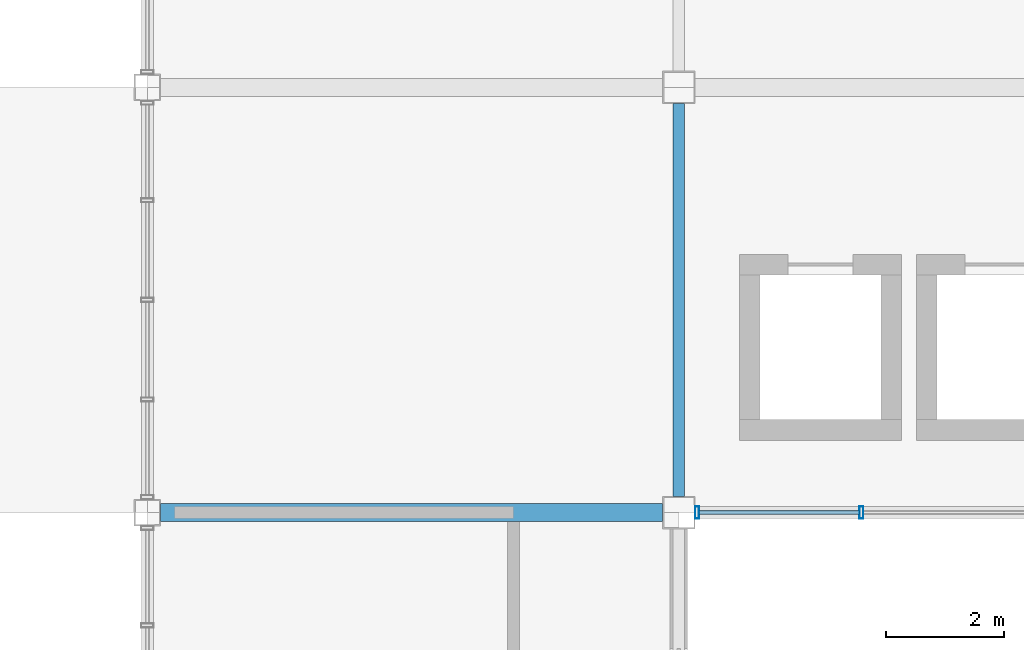
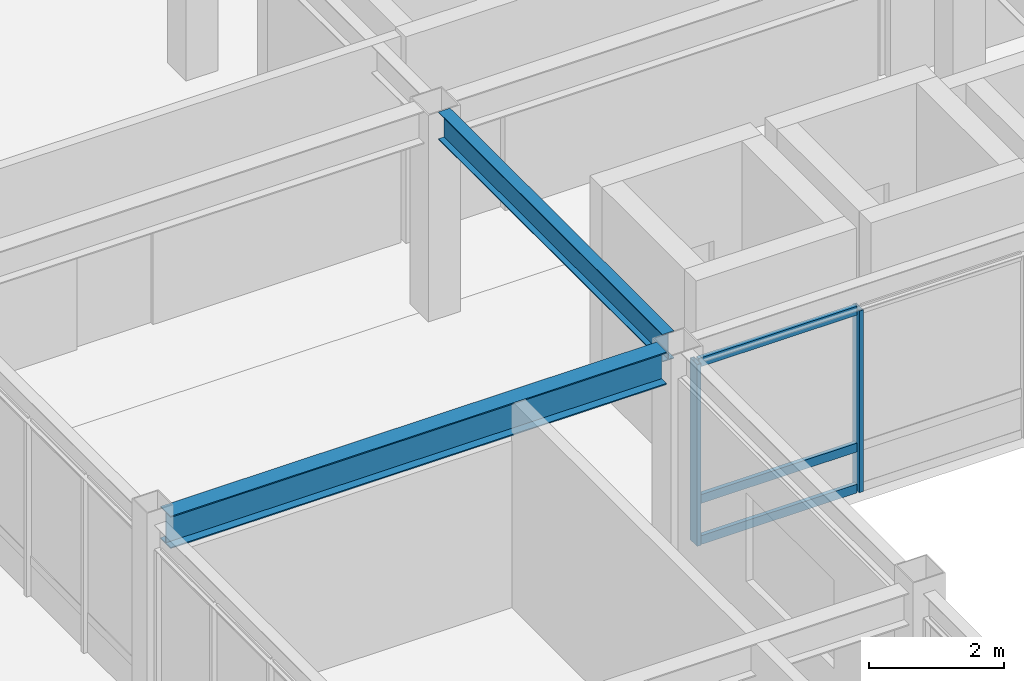
# One storey, part 58 of 113: 5 members, 2 beams, 1 element without a shape of its own.
"""IFC4 building model written with IfcOpenShell, lengths in metres."""

from ifc_helpers import new_model, si_unit, direction, frame, origin, origin_2d, place, context, subcontext, project, spatial, hollow_rectangle, i_section, extrude, material, material_profile, profile_set, type_object, element, aggregate, save


model = new_model("IFC4")

# Units and contexts
model_context = context("Model", 3, precision=1e-05, world=origin(), true_north=direction((0.0, 1.0)))
body_context = subcontext(model_context, "Body", "Model", "MODEL_VIEW")
ifc_project = project(units=[si_unit("LENGTHUNIT", "METRE"), si_unit("AREAUNIT", "SQUARE_METRE"), si_unit("VOLUMEUNIT", "CUBIC_METRE"), si_unit("PLANEANGLEUNIT", "RADIAN"), si_unit("MASSUNIT", "GRAM", prefix="KILO")], contexts=[model_context])

# Site, building, storey
site_placement = place(None, origin())
site = spatial("IfcSite", under=ifc_project, at=site_placement, CompositionType="ELEMENT")
building_placement = place(site_placement, origin())
building = spatial("IfcBuilding", under=site, at=building_placement, Name="Kazanami Central Library", CompositionType="ELEMENT")
storey_placement = place(building_placement, frame((0.0, 0.0, 8.800048828125)))
storey = spatial("IfcBuildingStorey", under=building, at=storey_placement, Name="L03", CompositionType="ELEMENT", Elevation=8.800048828125)

# Beams
ifc_material_1 = material(Name="Steel SN490B (325 MPa)", Category="steel")
ifc_material_profile_1 = material_profile(ifc_material_1, i_section(OverallWidth=0.300048828125, OverallDepth=0.587890625, WebThickness=0.011962890625, FlangeThickness=0.02001953125, at=origin_2d()), Name="H-588x300x12x20")
ifc_profile_set_1 = profile_set([ifc_material_profile_1], Name="Steel SN490B (325 MPa)")
beam_type_1 = type_object("IfcBeamType", Name="BM-G-X2", PredefinedType="BEAM", material=ifc_profile_set_1)
beam_1_placement = place(storey_placement, frame((45.222900390625, 64.800048828125, 3.450927734375), z_axis=(1.0, 0.0, 0.0), x_axis=(0.0, 1.0, 0.0)))
element("IfcBeam", 1, at=beam_1_placement, inside=storey, type_object=beam_type_1, Name="Girder G-X2 L03 K/6-7", PredefinedType="BEAM", context=body_context, shape_type="SweptSolid", body=[
    extrude(i_section(OverallWidth=0.300048828125, OverallDepth=0.587890625, WebThickness=0.011962890625, FlangeThickness=0.02001953125, at=origin_2d()), origin(), (0.0, 0.0, 1.0), 8.504150390625),
])
ifc_material_profile_2 = material_profile(ifc_material_1, i_section(OverallWidth=0.199951171875, OverallDepth=0.5, WebThickness=0.010009765625, FlangeThickness=0.01611328125, at=origin_2d()), Name="H-500x200x10x16")
ifc_profile_set_2 = profile_set([ifc_material_profile_2], Name="Steel SN490B (325 MPa)")
beam_type_2 = type_object("IfcBeamType", Name="BM-G-Y2", PredefinedType="BEAM", material=ifc_profile_set_2)
beam_2_placement = place(storey_placement, frame((54.0, 65.072998046875, 3.494873046875), z_axis=(0.0, 1.0, 0.0), x_axis=(-1.0, 0.0, 0.0)))
element("IfcBeam", 2, at=beam_2_placement, inside=storey, type_object=beam_type_2, Name="Girder G-Y2 L03 7/K-L", PredefinedType="BEAM", context=body_context, shape_type="SweptSolid", body=[
    extrude(i_section(OverallWidth=0.199951171875, OverallDepth=0.5, WebThickness=0.010009765625, FlangeThickness=0.01611328125, at=origin_2d()), origin(), (0.0, 0.0, 1.0), 6.654052734375),
])

# Curtain wall, members
ifc_material_2 = material(Name="Acid-Etched Low-E Laminated Glass", Category="glass")
curtain_wall_type = type_object("IfcCurtainWallType", Name="CW-8450x3295-M275", PredefinedType="USERDEFINED", material=ifc_material_2)
curtain_wall_placement = place(storey_placement, origin())
curtain_wall = element("IfcCurtainWall", 3, at=curtain_wall_placement, inside=storey, type_object=curtain_wall_type, Name="Unitised Curtain Wall CW-29 L03 S-K-06", ObjectType="UNITISED CURTAIN WALL", PredefinedType="USERDEFINED")
ifc_material_3 = material(Name="Anodised Aluminium A6063-T5", Category="aluminium")
ifc_material_profile_3 = material_profile(ifc_material_3, hollow_rectangle(XDim=0.070068359375, YDim=0.2099609375, WallThickness=0.0048828125, at=origin_2d()), Name="ALU-MULL-70x210x5")
ifc_profile_set_3 = profile_set([ifc_material_profile_3], Name="Anodised Aluminium A6063-T5")
member_type_1 = type_object("IfcMemberType", Name="MEM-CW-M1", PredefinedType="MULLION", material=ifc_profile_set_3)
member_1_placement = place(storey_placement, frame((54.31005859375, 64.800048828125, 0.0), z_axis=(0.0, 0.0, 1.0), x_axis=(1.0, 0.0, 0.0)))
member_1 = element("IfcMember", 4, at=member_1_placement, type_object=member_type_1, Name="CW-29 mullion 1", PredefinedType="MULLION", context=body_context, shape_type="SweptSolid", body=[
    extrude(hollow_rectangle(XDim=0.070068359375, YDim=0.2099609375, WallThickness=0.0048828125, at=origin_2d()), origin(), (0.0, 0.0, 1.0), 3.294921875),
])
member_2_placement = place(storey_placement, frame((57.091552734375, 64.800048828125, 0.0), z_axis=(0.0, 0.0, 1.0), x_axis=(1.0, 0.0, 0.0)))
member_2 = element("IfcMember", 5, at=member_2_placement, type_object=member_type_1, Name="CW-29 mullion 2", PredefinedType="MULLION", context=body_context, shape_type="SweptSolid", body=[
    extrude(hollow_rectangle(XDim=0.070068359375, YDim=0.2099609375, WallThickness=0.0048828125, at=origin_2d()), origin(), (0.0, 0.0, 1.0), 3.294921875),
])
ifc_material_profile_4 = material_profile(ifc_material_3, hollow_rectangle(XDim=0.070068359375, YDim=0.159912109375, WallThickness=0.00390625, at=origin_2d()), Name="ALU-TRAN-70x160x4")
ifc_profile_set_4 = profile_set([ifc_material_profile_4], Name="Anodised Aluminium A6063-T5")
member_type_2 = type_object("IfcMemberType", Name="MEM-CW-T1", PredefinedType="USERDEFINED", material=ifc_profile_set_4)
member_3_placement = place(storey_placement, frame((54.344970703125, 64.800048828125, 0.034912109375), z_axis=(1.0, 0.0, 0.0), x_axis=(0.0, 1.0, 0.0)))
member_3 = element("IfcMember", 6, at=member_3_placement, type_object=member_type_2, Name="CW-29 transom 1.1", ObjectType="TRANSOM", PredefinedType="USERDEFINED", context=body_context, shape_type="SweptSolid", body=[
    extrude(hollow_rectangle(XDim=0.070068359375, YDim=0.159912109375, WallThickness=0.00390625, at=origin_2d()), origin(), (0.0, 0.0, 1.0), 2.711669921875),
])
member_4_placement = place(storey_placement, frame((54.344970703125, 64.800048828125, 0.780029296875), z_axis=(1.0, 0.0, 0.0), x_axis=(0.0, 1.0, 0.0)))
member_4 = element("IfcMember", 7, at=member_4_placement, type_object=member_type_2, Name="CW-29 transom 1.2", ObjectType="TRANSOM", PredefinedType="USERDEFINED", context=body_context, shape_type="SweptSolid", body=[
    extrude(hollow_rectangle(XDim=0.070068359375, YDim=0.159912109375, WallThickness=0.00390625, at=origin_2d()), origin(), (0.0, 0.0, 1.0), 2.711669921875),
])
member_5_placement = place(storey_placement, frame((54.344970703125, 64.800048828125, 3.260009765625), z_axis=(1.0, 0.0, 0.0), x_axis=(0.0, 1.0, 0.0)))
member_5 = element("IfcMember", 8, at=member_5_placement, type_object=member_type_2, Name="CW-29 transom 1.3", ObjectType="TRANSOM", PredefinedType="USERDEFINED", context=body_context, shape_type="SweptSolid", body=[
    extrude(hollow_rectangle(XDim=0.070068359375, YDim=0.159912109375, WallThickness=0.00390625, at=origin_2d()), origin(), (0.0, 0.0, 1.0), 2.711669921875),
])
aggregate(curtain_wall, [member_1, member_2, member_3, member_4, member_5])

save(model, "model.ifc")
